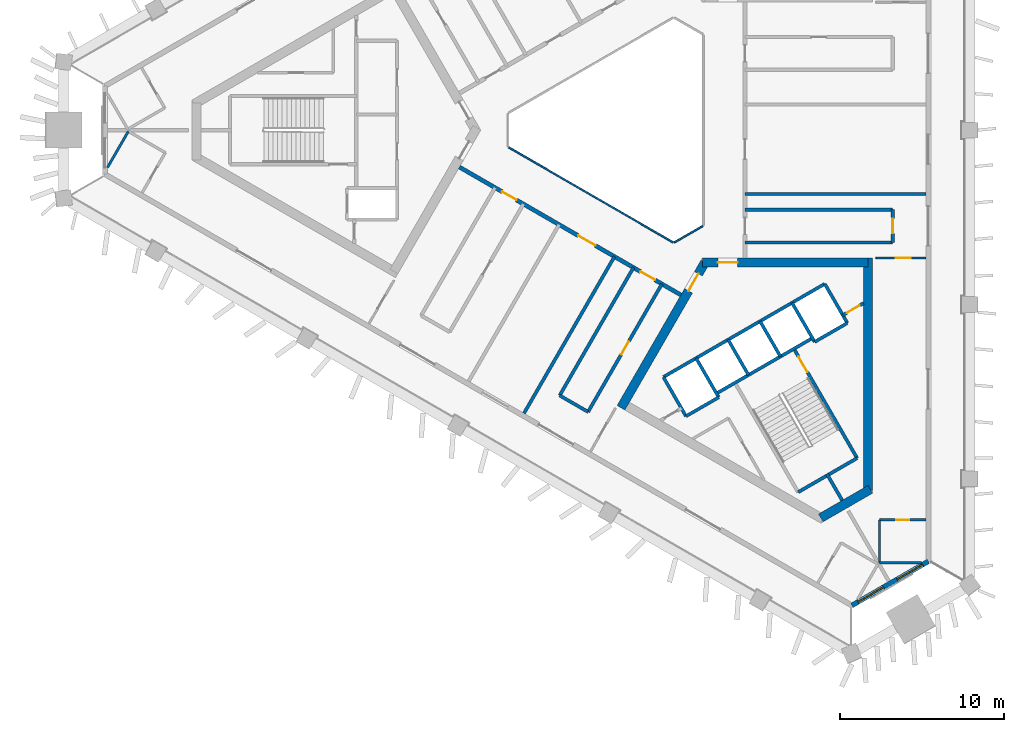
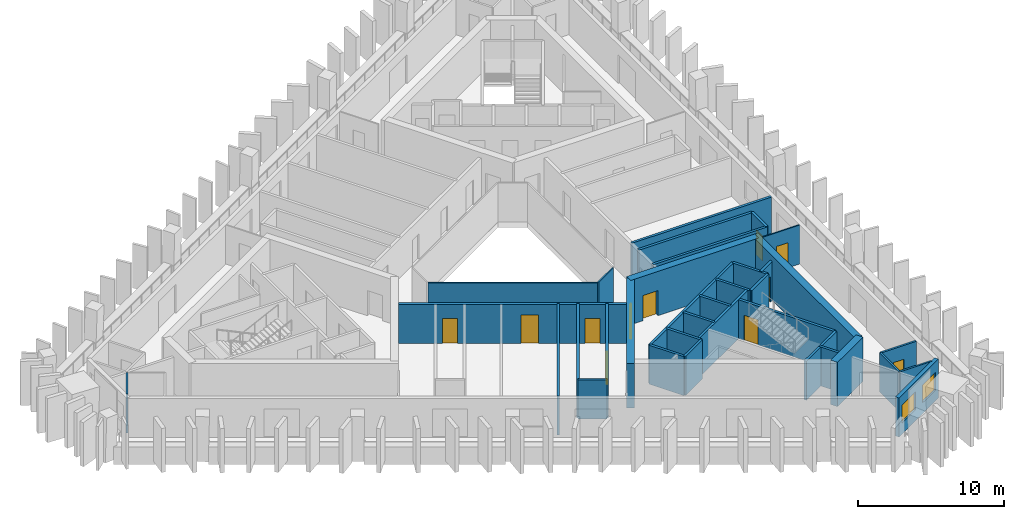
# One storey, part 3 of 9: 35 walls, 11 doors, 2 windows, 13 openings.
"""IFC4 building model written with IfcOpenShell, lengths in metres."""

from ifc_helpers import new_model, si_unit, direction, frame, frame_2d, origin, place, context, subcontext, project, spatial, rectangle, extrude, material, layer, layer_set, type_object, element, fill, save


model = new_model("IFC4")

# Units and contexts
model_context = context("Model", 3, precision=1e-05, world=origin(), true_north=direction((0.0, 1.0)))
body_context = subcontext(model_context, "Body", "Model", "MODEL_VIEW")
ifc_project = project(units=[si_unit("LENGTHUNIT", "METRE"), si_unit("AREAUNIT", "SQUARE_METRE"), si_unit("VOLUMEUNIT", "CUBIC_METRE"), si_unit("PLANEANGLEUNIT", "RADIAN"), si_unit("MASSUNIT", "GRAM", prefix="KILO")], contexts=[model_context])

# Site, building, storey
site_placement = place(None, origin())
site = spatial("IfcSite", under=ifc_project, at=site_placement, CompositionType="ELEMENT")
building_placement = place(site_placement, origin())
building = spatial("IfcBuilding", under=site, at=building_placement, Name="Jabali Bay Hotel Tower and Convention Centre", CompositionType="ELEMENT")
storey_placement = place(building_placement, frame((0.0, 0.0, 189.60009765625)))
storey = spatial("IfcBuildingStorey", under=building, at=storey_placement, Name="L46", CompositionType="ELEMENT", Elevation=189.60009765625)

# Walls
ifc_material_1 = material(Name="Fire-resistant glazing", Category="glass")
ifc_layer_1 = layer(ifc_material_1, 0.10009765625)
ifc_layer_set_1 = layer_set([ifc_layer_1], Name="Fire-resistant glazing")
wall_type_1 = type_object("IfcWallType", Name="Atrium glazed screen 100", PredefinedType="PARTITIONING", material=ifc_layer_set_1)
wall_1_placement = place(storey_placement, frame((67.7021484375, 78.947998046875, 0.0), z_axis=(0.0, 0.0, 1.0), x_axis=(0.866026658274, -0.499997827154, 0.0)))
element("IfcWall", 1, at=wall_1_placement, inside=storey, type_object=wall_type_1, Name="Atrium screen 5 L46", PredefinedType="PARTITIONING", context=body_context, shape_type="SweptSolid", body=[
    extrude(rectangle(XDim=11.58837890625, YDim=0.10009765625, at=frame_2d((5.794189453125, 0.0))), origin(), (0.0, 0.0, 1.0), 3.25),
])
wall_2_placement = place(storey_placement, frame((77.7978515625, 73.15380859375, 0.0), z_axis=(0.0, 0.0, 1.0), x_axis=(0.866041268327, 0.499972520799, 0.0)))
element("IfcWall", 2, at=wall_2_placement, inside=storey, type_object=wall_type_1, Name="Atrium screen 6 L46", PredefinedType="PARTITIONING", context=body_context, shape_type="SweptSolid", body=[
    extrude(rectangle(XDim=2.0, YDim=0.10009765625, at=frame_2d((1.0, 0.0))), origin(), (0.0, 0.0, 1.0), 3.25),
])
ifc_material_2 = material(Name="Concrete C40", Category="concrete")
ifc_layer_2 = layer(ifc_material_2, 0.199951171875)
ifc_layer_set_2 = layer_set([ifc_layer_2], Name="Concrete C40")
wall_type_2 = type_object("IfcWallType", Name="Core partition wall 200", PredefinedType="PARTITIONING", material=ifc_layer_set_2)
wall_3_placement = place(storey_placement, frame((87.090087890625, 59.0595703125, 0.0), z_axis=(0.0, 0.0, 1.0), x_axis=(0.499951854219, -0.86605319898, 0.0)))
element("IfcWall", 3, at=wall_3_placement, inside=storey, type_object=wall_type_2, Name="Core wall 2.5 L46", PredefinedType="PARTITIONING", context=body_context, shape_type="SweptSolid", body=[
    extrude(rectangle(XDim=1.873291015625, YDim=0.199951171875, at=frame_2d((0.9365234375, 0.0))), origin(), (0.0, 0.0, 1.0), 3.25),
])

# Wall, opening, door
wall_4_placement = place(storey_placement, frame((88.064697265625, 68.72119140625, 0.0), z_axis=(0.0, 0.0, 1.0), x_axis=(0.865982457891, 0.500074377092, 0.0)))
wall_4 = element("IfcWall", 4, at=wall_4_placement, inside=storey, type_object=wall_type_2, Name="Core wall 2.12 L46", PredefinedType="PARTITIONING", context=body_context, shape_type="SweptSolid", body=[
    extrude(rectangle(XDim=1.461181640625, YDim=0.199951171875, at=frame_2d((0.73046875, 0.0))), origin(), (0.0, 0.0, 1.0), 3.25),
])
opening_1_placement = place(wall_4_placement, frame((0.280517578125, 0.0, 0.0)))
opening_1 = element("IfcOpeningElement", 5, at=opening_1_placement, cuts=wall_4, Name="Opening D1004", PredefinedType="OPENING", context=body_context, shape_type="SweptSolid", body=[
    extrude(rectangle(XDim=0.89990234375, YDim=2.10009765625, at=frame_2d((0.449951171875, 1.050048828125))), frame((0.0, 0.1103515625, 0.0), z_axis=(0.0, -1.0, 0.0), x_axis=(1.0, 0.0, 0.0)), (0.0, 0.0, 1.0), 0.220947265625),
])
ifc_material_3 = material(Name="Fire-rated steel door", Category="steel")
door_type_1 = type_object("IfcDoorType", Name="Vestibule fire door 900 x 2100", OperationType="NOTDEFINED", PredefinedType="NOTDEFINED", material=ifc_material_3)
door_1_placement = place(opening_1_placement, origin())
door_1 = element("IfcDoor", 6, at=door_1_placement, inside=storey, type_object=door_type_1, Name="Vestibule fire door D1004", OperationType="SINGLE_SWING_LEFT", OverallHeight=2.10009765625, OverallWidth=0.89990234375, PredefinedType="NOTDEFINED", context=body_context, shape_type="SweptSolid", body=[
    extrude(rectangle(XDim=0.89990234375, YDim=2.10009765625, at=frame_2d((0.449951171875, 1.050048828125))), frame((0.0, 0.02490234375, 0.0), z_axis=(0.0, -1.0, 0.0), x_axis=(1.0, 0.0, 0.0)), (0.0, 0.0, 1.0), 0.050048828125),
])
fill(opening_1, door_1)

# Walls
ifc_layer_3 = layer(ifc_material_2, 0.199951171875)
ifc_layer_set_3 = layer_set([ifc_layer_3], Name="Concrete C40")
wall_type_3 = type_object("IfcWallType", Name="Core stair wall 200", PredefinedType="SOLIDWALL", material=ifc_layer_set_3)
for number, where, z_axis, x_axis, name in (
    (7, (77.13525390625, 64.95166015625, 0.0), (0.0, 0.0, 1.0), (0.499996545922, -0.866027397988, 0.0), "Core wall 2.0 L46"),
    (8, (79.127197265625, 66.1015625, 0.0), (0.0, 0.0, 1.0), (0.499996545922, -0.866027397988, 0.0), "Core wall 2.2 L46"),
):
    element("IfcWall", number, at=place(storey_placement, frame(where, z_axis=z_axis, x_axis=x_axis)), inside=storey, type_object=wall_type_3, Name=name, PredefinedType="SOLIDWALL", context=body_context, shape_type="SweptSolid", body=[
        extrude(rectangle(XDim=2.75, YDim=0.199951171875, at=frame_2d((1.375, 0.0))), origin(), (0.0, 0.0, 1.0), 3.25),
    ])
for number, where, z_axis, x_axis, name in (
    (9, (81.07568359375, 67.2265625, 0.0), (0.0, 0.0, 1.0), (0.50000366821, -0.866023285932, 0.0), "Core wall 2.4 L46"),
    (10, (83.024169921875, 68.3515625, 0.0), (0.0, 0.0, 1.0), (0.50000366821, -0.866023285932, 0.0), "Core wall 2.6 L46"),
):
    element("IfcWall", number, at=place(storey_placement, frame(where, z_axis=z_axis, x_axis=x_axis)), inside=storey, type_object=wall_type_3, Name=name, PredefinedType="SOLIDWALL", context=body_context, shape_type="SweptSolid", body=[
        extrude(rectangle(XDim=2.47998046875, YDim=0.199951171875, at=frame_2d((1.239990234375, 0.0))), origin(), (0.0, 0.0, 1.0), 3.25),
    ])

# Wall, opening, door
wall_5_placement = place(storey_placement, frame((85.0869140625, 66.6787109375, 0.0), z_axis=(0.0, 0.0, 1.0), x_axis=(0.500019787375, -0.866013979237, 0.0)))
wall_5 = element("IfcWall", 11, at=wall_5_placement, inside=storey, type_object=wall_type_3, Name="Core wall 2.7 L46", PredefinedType="SOLIDWALL", context=body_context, shape_type="SweptSolid", body=[
    extrude(rectangle(XDim=7.699951171875, YDim=0.199951171875, at=frame_2d((3.85009765625, 0.0))), origin(), (0.0, 0.0, 1.0), 3.25),
])
opening_2_placement = place(wall_5_placement, frame((0.550048828125, 0.0, 0.0)))
opening_2 = element("IfcOpeningElement", 12, at=opening_2_placement, cuts=wall_5, Name="Opening D1006", PredefinedType="OPENING", context=body_context, shape_type="SweptSolid", body=[
    extrude(rectangle(XDim=1.10009765625, YDim=2.10009765625, at=frame_2d((0.550048828125, 1.050048828125))), frame((0.0, 0.1103515625, 0.0), z_axis=(0.0, -1.0, 0.0), x_axis=(1.0, 0.0, 0.0)), (0.0, 0.0, 1.0), 0.220947265625),
])
door_type_2 = type_object("IfcDoorType", Name="Stair fire door 1100 x 2100", OperationType="NOTDEFINED", PredefinedType="NOTDEFINED", material=ifc_material_3)
door_2_placement = place(opening_2_placement, origin())
door_2 = element("IfcDoor", 13, at=door_2_placement, inside=storey, type_object=door_type_2, Name="Stair fire door D1006", OperationType="SINGLE_SWING_RIGHT", OverallHeight=2.10009765625, OverallWidth=1.10009765625, PredefinedType="NOTDEFINED", context=body_context, shape_type="SweptSolid", body=[
    extrude(rectangle(XDim=1.10009765625, YDim=2.10009765625, at=frame_2d((0.550048828125, 1.050048828125))), frame((0.0, 0.02490234375, 0.0), z_axis=(0.0, -1.0, 0.0), x_axis=(1.0, 0.0, 0.0)), (0.0, 0.0, 1.0), 0.050048828125),
])
fill(opening_2, door_2)

# Walls
for number, where, z_axis, x_axis, name in (
    (14, (84.972900390625, 69.4765625, 0.0), (0.0, 0.0, 1.0), (0.499996545922, -0.866027397988, 0.0), "Core wall 2.8 L46"),
    (15, (86.964599609375, 70.62646484375, 0.0), (0.0, 0.0, 1.0), (0.499996545922, -0.866027397988, 0.0), "Core wall 2.9 L46"),
):
    element("IfcWall", number, at=place(storey_placement, frame(where, z_axis=z_axis, x_axis=x_axis)), inside=storey, type_object=wall_type_3, Name=name, PredefinedType="SOLIDWALL", context=body_context, shape_type="SweptSolid", body=[
        extrude(rectangle(XDim=2.75, YDim=0.199951171875, at=frame_2d((1.375, 0.0))), origin(), (0.0, 0.0, 1.0), 3.25),
    ])
wall_6_placement = place(storey_placement, frame((77.13525390625, 64.95166015625, 0.0), z_axis=(0.0, 0.0, 1.0), x_axis=(0.866031916153, 0.499988720078, 0.0)))
element("IfcWall", 16, at=wall_6_placement, inside=storey, type_object=wall_type_3, Name="Core wall 2.10 L46", PredefinedType="SOLIDWALL", context=body_context, shape_type="SweptSolid", body=[
    extrude(rectangle(XDim=11.349853515625, YDim=0.199951171875, at=frame_2d((5.6748046875, 0.0))), origin(), (0.0, 0.0, 1.0), 3.25),
])
wall_7_placement = place(storey_placement, frame((80.3671875, 63.953857421875, 0.0), z_axis=(0.0, 0.0, 1.0), x_axis=(0.866026575979, 0.499997969693, 0.0)))
element("IfcWall", 17, at=wall_7_placement, inside=storey, type_object=wall_type_3, Name="Core wall 2.13 L46", PredefinedType="SOLIDWALL", context=body_context, shape_type="SweptSolid", body=[
    extrude(rectangle(XDim=6.75, YDim=0.199951171875, at=frame_2d((3.375, 0.0))), origin(), (0.0, 0.0, 1.0), 3.25),
])
wall_8_placement = place(storey_placement, frame((78.51025390625, 62.570068359375, 0.0), z_axis=(0.0, 0.0, 1.0), x_axis=(0.866053019151, 0.499952165731, 0.0)))
element("IfcWall", 18, at=wall_8_placement, inside=storey, type_object=wall_type_3, Name="Core wall 2.14 L46", PredefinedType="SOLIDWALL", context=body_context, shape_type="SweptSolid", body=[
    extrude(rectangle(XDim=2.300048828125, YDim=0.199951171875, at=frame_2d((1.14990234375, 0.0))), origin(), (0.0, 0.0, 1.0), 3.25),
])
wall_9_placement = place(storey_placement, frame((86.347900390625, 67.094970703125, 0.0), z_axis=(0.0, 0.0, 1.0), x_axis=(0.86602648383, 0.499998129301, 0.0)))
element("IfcWall", 19, at=wall_9_placement, inside=storey, type_object=wall_type_3, Name="Core wall 2.15 L46", PredefinedType="SOLIDWALL", context=body_context, shape_type="SweptSolid", body=[
    extrude(rectangle(XDim=2.2998046875, YDim=0.199951171875, at=frame_2d((1.14990234375, 0.0))), origin(), (0.0, 0.0, 1.0), 3.25),
])
wall_10_placement = place(storey_placement, frame((85.343017578125, 57.935302734375, 0.0), z_axis=(0.0, 0.0, 1.0), x_axis=(0.866004344652, 0.500036473714, 0.0)))
element("IfcWall", 20, at=wall_10_placement, inside=storey, type_object=wall_type_3, Name="Core wall 2.17 L46", PredefinedType="SOLIDWALL", context=body_context, shape_type="SweptSolid", body=[
    extrude(rectangle(XDim=4.150146484375, YDim=0.199951171875, at=frame_2d((2.0751953125, 0.0))), origin(), (0.0, 0.0, 1.0), 3.25),
])

# Wall, opening, door
ifc_material_4 = material(Name="Concrete C60", Category="concrete")
ifc_layer_4 = layer(ifc_material_4, 0.550048828125)
ifc_layer_set_4 = layer_set([ifc_layer_4], Name="Concrete C60")
wall_type_4 = type_object("IfcWallType", Name="Core wall 550", PredefinedType="SHEAR", material=ifc_layer_set_4)
wall_11_placement = place(storey_placement, frame((79.65869140625, 71.9306640625, 0.0), z_axis=(0.0, 0.0, 1.0), x_axis=(-0.500000202252, -0.866025287014, 0.0)))
wall_11 = element("IfcWall", 21, at=wall_11_placement, inside=storey, type_object=wall_type_4, Name="Core wall 3.1 L46", PredefinedType="SHEAR", context=body_context, shape_type="SweptSolid", body=[
    extrude(rectangle(XDim=10.22119140625, YDim=0.550048828125, at=frame_2d((5.110595703125, 0.0))), origin(), (0.0, 0.0, 1.0), 3.699951171875),
])
opening_3_placement = place(wall_11_placement, frame((0.791259765625, 0.0, 0.0)))
opening_3 = element("IfcOpeningElement", 22, at=opening_3_placement, cuts=wall_11, Name="Opening D1002", PredefinedType="OPENING", context=body_context, shape_type="SweptSolid", body=[
    extrude(rectangle(XDim=1.199951171875, YDim=2.10009765625, at=frame_2d((0.60009765625, 1.050048828125))), frame((0.0, 0.28564453125, 0.0), z_axis=(0.0, -1.0, 0.0), x_axis=(1.0, 0.0, 0.0)), (0.0, 0.0, 1.0), 0.571044921875),
])
door_type_3 = type_object("IfcDoorType", Name="Corridor end fire door 1200 x 2100", OperationType="NOTDEFINED", PredefinedType="NOTDEFINED", material=ifc_material_3)
door_3_placement = place(opening_3_placement, origin())
door_3 = element("IfcDoor", 23, at=door_3_placement, inside=storey, type_object=door_type_3, Name="Corridor end fire door D1002", OperationType="SINGLE_SWING_RIGHT", OverallHeight=2.10009765625, OverallWidth=1.199951171875, PredefinedType="NOTDEFINED", context=body_context, shape_type="SweptSolid", body=[
    extrude(rectangle(XDim=1.199951171875, YDim=2.10009765625, at=frame_2d((0.60009765625, 1.050048828125))), frame((0.0, 0.02490234375, 0.0), z_axis=(0.0, -1.0, 0.0), x_axis=(1.0, 0.0, 0.0)), (0.0, 0.0, 1.0), 0.050048828125),
])
fill(opening_3, door_3)

# Walls
wall_12_placement = place(storey_placement, frame((86.72314453125, 56.3671875, 0.0), z_axis=(0.0, 0.0, 1.0), x_axis=(0.865997833373, 0.500047750313, 0.0)))
element("IfcWall", 24, at=wall_12_placement, inside=storey, type_object=wall_type_4, Name="Core wall 3.3 L46", PredefinedType="SHEAR", context=body_context, shape_type="SweptSolid", body=[
    extrude(rectangle(XDim=3.486572265625, YDim=0.550048828125, at=frame_2d((1.7431640625, 0.0))), origin(), (0.0, 0.0, 1.0), 3.699951171875),
])
wall_13_placement = place(storey_placement, frame((89.60498046875, 58.03125, 0.0), z_axis=(0.0, 0.0, 1.0), x_axis=(0.0, 1.0, 0.0)))
element("IfcWall", 25, at=wall_13_placement, inside=storey, type_object=wall_type_4, Name="Core wall 3.4 L46", PredefinedType="SHEAR", context=body_context, shape_type="SweptSolid", body=[
    extrude(rectangle(XDim=14.174560546875, YDim=0.550048828125, at=frame_2d((7.08740234375, 0.0))), origin(), (0.0, 0.0, 1.0), 3.699951171875),
])

# Wall, opening, door
wall_14_placement = place(storey_placement, frame((89.60498046875, 71.9306640625, 0.0), z_axis=(0.0, 0.0, 1.0), x_axis=(-1.0, 0.0, 0.0)))
wall_14 = element("IfcWall", 26, at=wall_14_placement, inside=storey, type_object=wall_type_4, Name="Core wall 3.5 L46", PredefinedType="SHEAR", context=body_context, shape_type="SweptSolid", body=[
    extrude(rectangle(XDim=10.10498046875, YDim=0.550048828125, at=frame_2d((5.052490234375, 0.0))), origin(), (0.0, 0.0, 1.0), 3.699951171875),
])
opening_4_placement = place(wall_14_placement, frame((7.955078125, 0.0, 0.0)))
opening_4 = element("IfcOpeningElement", 27, at=opening_4_placement, cuts=wall_14, Name="Opening D1003", PredefinedType="OPENING", context=body_context, shape_type="SweptSolid", body=[
    extrude(rectangle(XDim=1.199951171875, YDim=2.10009765625, at=frame_2d((0.60009765625, 1.050048828125))), frame((0.0, 0.28564453125, 0.0), z_axis=(0.0, -1.0, 0.0), x_axis=(1.0, 0.0, 0.0)), (0.0, 0.0, 1.0), 0.571044921875),
])
door_4_placement = place(opening_4_placement, origin())
door_4 = element("IfcDoor", 28, at=door_4_placement, inside=storey, type_object=door_type_3, Name="Corridor end fire door D1003", OperationType="SINGLE_SWING_LEFT", OverallHeight=2.10009765625, OverallWidth=1.199951171875, PredefinedType="NOTDEFINED", context=body_context, shape_type="SweptSolid", body=[
    extrude(rectangle(XDim=1.199951171875, YDim=2.10009765625, at=frame_2d((0.60009765625, 1.050048828125))), frame((0.0, 0.02490234375, 0.0), z_axis=(0.0, -1.0, 0.0), x_axis=(1.0, 0.0, 0.0)), (0.0, 0.0, 1.0), 0.050048828125),
])
fill(opening_4, door_4)

# Wall, openings, doors
ifc_layer_5 = layer(ifc_material_4, 0.25)
ifc_layer_set_5 = layer_set([ifc_layer_5], Name="Concrete C60")
wall_type_5 = type_object("IfcWallType", Name="Corridor wall 250", PredefinedType="SHEAR", material=ifc_layer_set_5)
wall_15_placement = place(storey_placement, frame((64.699951171875, 77.748291015625, 0.0), z_axis=(0.0, 0.0, 1.0), x_axis=(0.866026492143, -0.499998114903, 0.0)))
wall_15 = element("IfcWall", 29, at=wall_15_placement, inside=storey, type_object=wall_type_5, Name="Corridor wall 3 L46", PredefinedType="SHEAR", context=body_context, shape_type="SweptSolid", body=[
    extrude(rectangle(XDim=15.58837890625, YDim=0.25, at=frame_2d((7.794189453125, 0.0))), origin(), (0.0, 0.0, 1.0), 3.25),
])
opening_5_placement = place(wall_15_placement, frame((3.00732421875, 0.0, 0.0)))
opening_5 = element("IfcOpeningElement", 30, at=opening_5_placement, cuts=wall_15, Name="Opening 4619", PredefinedType="OPENING", context=body_context, shape_type="SweptSolid", body=[
    extrude(rectangle(XDim=1.0, YDim=2.10009765625, at=frame_2d((0.5, 1.050048828125))), frame((0.0, 0.135498046875, 0.0), z_axis=(0.0, -1.0, 0.0), x_axis=(1.0, 0.0, 0.0)), (0.0, 0.0, 1.0), 0.27099609375),
])
opening_6_placement = place(wall_15_placement, frame((8.36328125, 0.0, 0.0)))
opening_6 = element("IfcOpeningElement", 31, at=opening_6_placement, cuts=wall_15, Name="Opening 4623", PredefinedType="OPENING", context=body_context, shape_type="SweptSolid", body=[
    extrude(rectangle(XDim=1.199951171875, YDim=2.39990234375, at=frame_2d((0.60009765625, 1.199951171875))), frame((0.0, 0.135498046875, 0.0), z_axis=(0.0, -1.0, 0.0), x_axis=(1.0, 0.0, 0.0)), (0.0, 0.0, 1.0), 0.27099609375),
])
opening_7_placement = place(wall_15_placement, frame((12.750244140625, 0.0, 0.0)))
opening_7 = element("IfcOpeningElement", 32, at=opening_7_placement, cuts=wall_15, Name="Opening 4624", PredefinedType="OPENING", context=body_context, shape_type="SweptSolid", body=[
    extrude(rectangle(XDim=1.0, YDim=2.10009765625, at=frame_2d((0.5, 1.050048828125))), frame((0.0, 0.135498046875, 0.0), z_axis=(0.0, -1.0, 0.0), x_axis=(1.0, 0.0, 0.0)), (0.0, 0.0, 1.0), 0.27099609375),
])
ifc_material_5 = material(Name="Timber", Category="wood")
door_type_4 = type_object("IfcDoorType", Name="Guest room door 1000 x 2100", OperationType="NOTDEFINED", PredefinedType="NOTDEFINED", material=ifc_material_5)
door_5_placement = place(opening_5_placement, origin())
door_5 = element("IfcDoor", 33, at=door_5_placement, inside=storey, type_object=door_type_4, Name="Door 4619", OperationType="SINGLE_SWING_LEFT", OverallHeight=2.10009765625, OverallWidth=1.0, PredefinedType="NOTDEFINED", context=body_context, shape_type="SweptSolid", body=[
    extrude(rectangle(XDim=1.0, YDim=2.10009765625, at=frame_2d((0.5, 1.050048828125))), frame((0.0, 0.02490234375, 0.0), z_axis=(0.0, -1.0, 0.0), x_axis=(1.0, 0.0, 0.0)), (0.0, 0.0, 1.0), 0.050048828125),
])
fill(opening_5, door_5)
door_6_placement = place(opening_7_placement, origin())
door_6 = element("IfcDoor", 34, at=door_6_placement, inside=storey, type_object=door_type_4, Name="Door 4624", OperationType="SINGLE_SWING_RIGHT", OverallHeight=2.10009765625, OverallWidth=1.0, PredefinedType="NOTDEFINED", context=body_context, shape_type="SweptSolid", body=[
    extrude(rectangle(XDim=1.0, YDim=2.10009765625, at=frame_2d((0.5, 1.050048828125))), frame((0.0, 0.02490234375, 0.0), z_axis=(0.0, -1.0, 0.0), x_axis=(1.0, 0.0, 0.0)), (0.0, 0.0, 1.0), 0.050048828125),
])
fill(opening_7, door_6)
door_type_5 = type_object("IfcDoorType", Name="Public room door 1200 x 2400", OperationType="NOTDEFINED", PredefinedType="NOTDEFINED", material=ifc_material_5)
door_7_placement = place(opening_6_placement, origin())
door_7 = element("IfcDoor", 35, at=door_7_placement, inside=storey, type_object=door_type_5, Name="Door 4623", OperationType="SINGLE_SWING_RIGHT", OverallHeight=2.39990234375, OverallWidth=1.199951171875, PredefinedType="NOTDEFINED", context=body_context, shape_type="SweptSolid", body=[
    extrude(rectangle(XDim=1.199951171875, YDim=2.39990234375, at=frame_2d((0.60009765625, 1.199951171875))), frame((0.0, 0.02490234375, 0.0), z_axis=(0.0, -1.0, 0.0), x_axis=(1.0, 0.0, 0.0)), (0.0, 0.0, 1.0), 0.050048828125),
])
fill(opening_6, door_7)

# Wall, openings, windows
ifc_layer_6 = layer(ifc_material_2, 0.300048828125)
ifc_layer_set_6 = layer_set([ifc_layer_6], Name="Concrete C40")
wall_type_6 = type_object("IfcWallType", Name="External wall 300", PredefinedType="SOLIDWALL", material=ifc_layer_set_6)
wall_16_placement = place(storey_placement, frame((93.27783203125, 53.71923828125, 0.0), z_axis=(0.0, 0.0, 1.0), x_axis=(-0.866024546342, -0.500001485131, 0.0)))
wall_16 = element("IfcWall", 36, at=wall_16_placement, inside=storey, type_object=wall_type_6, Name="External wall south-east chamfer L46", PredefinedType="SOLIDWALL", context=body_context, shape_type="SweptSolid", body=[
    extrude(rectangle(XDim=5.37744140625, YDim=0.300048828125, at=frame_2d((2.688720703125, 0.0))), origin(), (0.0, 0.0, 1.0), 3.25),
])
opening_8_placement = place(wall_16_placement, frame((0.402099609375, 0.0, 0.89990234375)))
opening_8 = element("IfcOpeningElement", 37, at=opening_8_placement, cuts=wall_16, Name="Opening W1", PredefinedType="OPENING", context=body_context, shape_type="SweptSolid", body=[
    extrude(rectangle(XDim=1.800048828125, YDim=1.5, at=frame_2d((0.89990234375, 0.75))), frame((0.0, 0.16064453125, 0.0), z_axis=(0.0, -1.0, 0.0), x_axis=(1.0, 0.0, 0.0)), (0.0, 0.0, 1.0), 0.321044921875),
])
opening_9_placement = place(wall_16_placement, frame((3.150146484375, 0.0, 0.89990234375)))
opening_9 = element("IfcOpeningElement", 38, at=opening_9_placement, cuts=wall_16, Name="Opening W1", PredefinedType="OPENING", context=body_context, shape_type="SweptSolid", body=[
    extrude(rectangle(XDim=1.800048828125, YDim=1.5, at=frame_2d((0.89990234375, 0.75))), frame((0.0, 0.16064453125, 0.0), z_axis=(0.0, -1.0, 0.0), x_axis=(1.0, 0.0, 0.0)), (0.0, 0.0, 1.0), 0.321044921875),
])
ifc_material_6 = material(Name="Glass", Category="glass")
window_type = type_object("IfcWindowType", Name="Window 1800 x 1500", PartitioningType="SINGLE_PANEL", PredefinedType="WINDOW", material=ifc_material_6)
window_1_placement = place(opening_8_placement, origin())
window_1 = element("IfcWindow", 39, at=window_1_placement, inside=storey, type_object=window_type, Name="Window 4601", OverallHeight=1.5, OverallWidth=1.800048828125, PartitioningType="SINGLE_PANEL", PredefinedType="WINDOW", context=body_context, shape_type="SweptSolid", body=[
    extrude(rectangle(XDim=1.800048828125, YDim=1.5, at=frame_2d((0.89990234375, 0.75))), frame((0.0, 0.030029296875, 0.0), z_axis=(0.0, -1.0, 0.0), x_axis=(1.0, 0.0, 0.0)), (0.0, 0.0, 1.0), 0.06005859375),
])
fill(opening_8, window_1)
window_2_placement = place(opening_9_placement, origin())
window_2 = element("IfcWindow", 40, at=window_2_placement, inside=storey, type_object=window_type, Name="Window 4612", OverallHeight=1.5, OverallWidth=1.800048828125, PartitioningType="SINGLE_PANEL", PredefinedType="WINDOW", context=body_context, shape_type="SweptSolid", body=[
    extrude(rectangle(XDim=1.800048828125, YDim=1.5, at=frame_2d((0.89990234375, 0.75))), frame((0.0, 0.030029296875, 0.0), z_axis=(0.0, -1.0, 0.0), x_axis=(1.0, 0.0, 0.0)), (0.0, 0.0, 1.0), 0.06005859375),
])
fill(opening_9, window_2)

# Wall, opening, door
ifc_material_7 = material(Name="Plasterboard on steel stud", Category="steel")
ifc_layer_7 = layer(ifc_material_7, 0.10009765625)
ifc_layer_set_7 = layer_set([ifc_layer_7], Name="Plasterboard on steel stud")
wall_type_7 = type_object("IfcWallType", Name="Partition 100 unit", PredefinedType="PARTITIONING", material=ifc_layer_set_7)
wall_17_placement = place(storey_placement, frame((90.0791015625, 72.205810546875, 0.0), z_axis=(0.0, 0.0, 1.0), x_axis=(1.0, 0.0, 0.0)))
wall_17 = element("IfcWall", 41, at=wall_17_placement, inside=storey, type_object=wall_type_7, Name="Partition P02 L46 001", PredefinedType="PARTITIONING", context=body_context, shape_type="SweptSolid", body=[
    extrude(rectangle(XDim=3.0498046875, YDim=0.10009765625, at=frame_2d((1.52490234375, 0.0))), origin(), (0.0, 0.0, 1.0), 3.25),
])
opening_10_placement = place(wall_17_placement, frame((1.22509765625, 0.0, 0.0)))
opening_10 = element("IfcOpeningElement", 42, at=opening_10_placement, cuts=wall_17, Name="Opening 4602", PredefinedType="OPENING", context=body_context, shape_type="SweptSolid", body=[
    extrude(rectangle(XDim=0.89990234375, YDim=2.10009765625, at=frame_2d((0.449951171875, 1.050048828125))), frame((0.0, 0.060546875, 0.0), z_axis=(0.0, -1.0, 0.0), x_axis=(1.0, 0.0, 0.0)), (0.0, 0.0, 1.0), 0.12109375),
])
door_type_6 = type_object("IfcDoorType", Name="Internal door 900 x 2100", OperationType="NOTDEFINED", PredefinedType="NOTDEFINED", material=ifc_material_5)
door_8_placement = place(opening_10_placement, origin())
door_8 = element("IfcDoor", 43, at=door_8_placement, inside=storey, type_object=door_type_6, Name="Door 4602", OperationType="SINGLE_SWING_RIGHT", OverallHeight=2.10009765625, OverallWidth=0.89990234375, PredefinedType="NOTDEFINED", context=body_context, shape_type="SweptSolid", body=[
    extrude(rectangle(XDim=0.89990234375, YDim=2.10009765625, at=frame_2d((0.449951171875, 1.050048828125))), frame((0.0, 0.02490234375, 0.0), z_axis=(0.0, -1.0, 0.0), x_axis=(1.0, 0.0, 0.0)), (0.0, 0.0, 1.0), 0.050048828125),
])
fill(opening_10, door_8)

# Walls
ifc_layer_8 = layer(ifc_material_7, 0.14990234375)
ifc_layer_set_8 = layer_set([ifc_layer_8], Name="Plasterboard on steel stud")
wall_type_8 = type_object("IfcWallType", Name="Partition 150 wet", PredefinedType="PARTITIONING", material=ifc_layer_set_8)
wall_18_placement = place(storey_placement, frame((92.851318359375, 53.64501953125, 0.0), z_axis=(0.0, 0.0, 1.0), x_axis=(-1.0, 0.0, 0.0)))
element("IfcWall", 44, at=wall_18_placement, inside=storey, type_object=wall_type_8, Name="Partition P03 L46 006", PredefinedType="PARTITIONING", context=body_context, shape_type="SweptSolid", body=[
    extrude(rectangle(XDim=2.5498046875, YDim=0.14990234375, at=frame_2d((1.27490234375, 0.0))), origin(), (0.0, 0.0, 1.0), 3.25),
])
wall_19_placement = place(storey_placement, frame((90.301513671875, 53.64501953125, 0.0), z_axis=(0.0, 0.0, 1.0), x_axis=(0.0, 1.0, 0.0)))
element("IfcWall", 45, at=wall_19_placement, inside=storey, type_object=wall_type_8, Name="Partition P03 L46 007", PredefinedType="PARTITIONING", context=body_context, shape_type="SweptSolid", body=[
    extrude(rectangle(XDim=2.60009765625, YDim=0.14990234375, at=frame_2d((1.300048828125, 0.0))), origin(), (0.0, 0.0, 1.0), 3.25),
])

# Wall, opening, door
wall_20_placement = place(storey_placement, frame((90.301513671875, 56.2451171875, 0.0), z_axis=(0.0, 0.0, 1.0), x_axis=(1.0, 0.0, 0.0)))
wall_20 = element("IfcWall", 46, at=wall_20_placement, inside=storey, type_object=wall_type_8, Name="Partition P03 L46 008", PredefinedType="PARTITIONING", context=body_context, shape_type="SweptSolid", body=[
    extrude(rectangle(XDim=2.827392578125, YDim=0.14990234375, at=frame_2d((1.41357421875, 0.0))), origin(), (0.0, 0.0, 1.0), 3.25),
])
opening_11_placement = place(wall_20_placement, frame((1.013916015625, 0.0, 0.0)))
opening_11 = element("IfcOpeningElement", 47, at=opening_11_placement, cuts=wall_20, Name="Opening 4603", PredefinedType="OPENING", context=body_context, shape_type="SweptSolid", body=[
    extrude(rectangle(XDim=0.800048828125, YDim=2.10009765625, at=frame_2d((0.39990234375, 1.050048828125))), frame((0.0, 0.08544921875, 0.0), z_axis=(0.0, -1.0, 0.0), x_axis=(1.0, 0.0, 0.0)), (0.0, 0.0, 1.0), 0.1708984375),
])
door_type_7 = type_object("IfcDoorType", Name="En-suite door 800 x 2100", OperationType="NOTDEFINED", PredefinedType="NOTDEFINED", material=ifc_material_5)
door_9_placement = place(opening_11_placement, origin())
door_9 = element("IfcDoor", 48, at=door_9_placement, inside=storey, type_object=door_type_7, Name="Door 4603", OperationType="SINGLE_SWING_LEFT", OverallHeight=2.10009765625, OverallWidth=0.800048828125, PredefinedType="NOTDEFINED", context=body_context, shape_type="SweptSolid", body=[
    extrude(rectangle(XDim=0.800048828125, YDim=2.10009765625, at=frame_2d((0.39990234375, 1.050048828125))), frame((0.0, 0.02490234375, 0.0), z_axis=(0.0, -1.0, 0.0), x_axis=(1.0, 0.0, 0.0)), (0.0, 0.0, 1.0), 0.050048828125),
])
fill(opening_11, door_9)

# Walls
wall_21_placement = place(storey_placement, frame((43.250244140625, 77.7177734375, 0.0), z_axis=(0.0, 0.0, 1.0), x_axis=(0.499990435942, 0.866030925526, 0.0)))
element("IfcWall", 49, at=wall_21_placement, inside=storey, type_object=wall_type_8, Name="Partition P03 L46 039", PredefinedType="PARTITIONING", context=body_context, shape_type="SweptSolid", body=[
    extrude(rectangle(XDim=2.5498046875, YDim=0.14990234375, at=frame_2d((1.27490234375, 0.0))), origin(), (0.0, 0.0, 1.0), 3.25),
])
ifc_layer_9 = layer(ifc_material_7, 0.199951171875)
ifc_layer_set_9 = layer_set([ifc_layer_9], Name="Plasterboard on steel stud")
wall_type_9 = type_object("IfcWallType", Name="Partition 200 party", PredefinedType="PARTITIONING", material=ifc_layer_set_9)
wall_22_placement = place(storey_placement, frame((82.10009765625, 75.154296875, 0.0), z_axis=(0.0, 0.0, 1.0), x_axis=(1.0, 0.0, 0.0)))
element("IfcWall", 50, at=wall_22_placement, inside=storey, type_object=wall_type_9, Name="Partition P01 L46 002", PredefinedType="PARTITIONING", context=body_context, shape_type="SweptSolid", body=[
    extrude(rectangle(XDim=9.0, YDim=0.199951171875, at=frame_2d((4.5, 0.0))), origin(), (0.0, 0.0, 1.0), 3.25),
])

# Wall, opening, door
wall_23_placement = place(storey_placement, frame((91.10009765625, 75.154296875, 0.0), z_axis=(0.0, 0.0, 1.0), x_axis=(0.0, -1.0, 0.0)))
wall_23 = element("IfcWall", 51, at=wall_23_placement, inside=storey, type_object=wall_type_9, Name="Partition P01 L46 003", PredefinedType="PARTITIONING", context=body_context, shape_type="SweptSolid", body=[
    extrude(rectangle(XDim=2.0, YDim=0.199951171875, at=frame_2d((1.0, 0.0))), origin(), (0.0, 0.0, 1.0), 3.25),
])
opening_12_placement = place(wall_23_placement, frame((0.550048828125, 0.0, 0.0)))
opening_12 = element("IfcOpeningElement", 52, at=opening_12_placement, cuts=wall_23, Name="Opening 4604", PredefinedType="OPENING", context=body_context, shape_type="SweptSolid", body=[
    extrude(rectangle(XDim=0.89990234375, YDim=2.10009765625, at=frame_2d((0.449951171875, 1.050048828125))), frame((0.0, 0.1103515625, 0.0), z_axis=(0.0, -1.0, 0.0), x_axis=(1.0, 0.0, 0.0)), (0.0, 0.0, 1.0), 0.220947265625),
])
door_10_placement = place(opening_12_placement, origin())
door_10 = element("IfcDoor", 53, at=door_10_placement, inside=storey, type_object=door_type_6, Name="Door 4604", OperationType="SINGLE_SWING_RIGHT", OverallHeight=2.10009765625, OverallWidth=0.89990234375, PredefinedType="NOTDEFINED", context=body_context, shape_type="SweptSolid", body=[
    extrude(rectangle(XDim=0.89990234375, YDim=2.10009765625, at=frame_2d((0.449951171875, 1.050048828125))), frame((0.0, 0.02490234375, 0.0), z_axis=(0.0, -1.0, 0.0), x_axis=(1.0, 0.0, 0.0)), (0.0, 0.0, 1.0), 0.050048828125),
])
fill(opening_12, door_10)

# Walls
wall_24_placement = place(storey_placement, frame((91.10009765625, 73.154296875, 0.0), z_axis=(0.0, 0.0, 1.0), x_axis=(-1.0, 0.0, 0.0)))
element("IfcWall", 54, at=wall_24_placement, inside=storey, type_object=wall_type_9, Name="Partition P01 L46 004", PredefinedType="PARTITIONING", context=body_context, shape_type="SweptSolid", body=[
    extrude(rectangle(XDim=9.0, YDim=0.199951171875, at=frame_2d((4.5, 0.0))), origin(), (0.0, 0.0, 1.0), 3.25),
])
for number, where, z_axis, x_axis, name in (
    (55, (93.12890625, 76.102783203125, 0.0), (0.0, 0.0, 1.0), (-1.0, 0.0, 0.0), "Partition P01 L46 005"),
    (56, (68.635498046875, 62.7412109375, 0.0), (0.0, 0.0, 1.0), (0.499998385726, 0.866026335784, 0.0), "Partition P01 L46 042"),
):
    element("IfcWall", number, at=place(storey_placement, frame(where, z_axis=z_axis, x_axis=x_axis)), inside=storey, type_object=wall_type_9, Name=name, PredefinedType="PARTITIONING", context=body_context, shape_type="SweptSolid", body=[
        extrude(rectangle(XDim=11.02880859375, YDim=0.199951171875, at=frame_2d((5.514404296875, 0.0))), origin(), (0.0, 0.0, 1.0), 3.25),
    ])

# Wall, opening, door
wall_25_placement = place(storey_placement, frame((77.041015625, 70.623291015625, 0.0), z_axis=(0.0, 0.0, 1.0), x_axis=(-0.5000018851, -0.866024315419, 0.0)))
wall_25 = element("IfcWall", 57, at=wall_25_placement, inside=storey, type_object=wall_type_9, Name="Partition P01 L46 044", PredefinedType="PARTITIONING", context=body_context, shape_type="SweptSolid", body=[
    extrude(rectangle(XDim=9.0, YDim=0.199951171875, at=frame_2d((4.5, 0.0))), origin(), (0.0, 0.0, 1.0), 3.25),
])
opening_13_placement = place(wall_25_placement, frame((4.050048828125, 0.0, 0.0)))
opening_13 = element("IfcOpeningElement", 58, at=opening_13_placement, cuts=wall_25, Name="Opening 4627", PredefinedType="OPENING", context=body_context, shape_type="SweptSolid", body=[
    extrude(rectangle(XDim=0.89990234375, YDim=2.10009765625, at=frame_2d((0.449951171875, 1.050048828125))), frame((0.0, 0.1103515625, 0.0), z_axis=(0.0, -1.0, 0.0), x_axis=(1.0, 0.0, 0.0)), (0.0, 0.0, 1.0), 0.220947265625),
])
door_11_placement = place(opening_13_placement, origin())
door_11 = element("IfcDoor", 59, at=door_11_placement, inside=storey, type_object=door_type_6, Name="Door 4627", OperationType="SINGLE_SWING_LEFT", OverallHeight=2.10009765625, OverallWidth=0.89990234375, PredefinedType="NOTDEFINED", context=body_context, shape_type="SweptSolid", body=[
    extrude(rectangle(XDim=0.89990234375, YDim=2.10009765625, at=frame_2d((0.449951171875, 1.050048828125))), frame((0.0, 0.02490234375, 0.0), z_axis=(0.0, -1.0, 0.0), x_axis=(1.0, 0.0, 0.0)), (0.0, 0.0, 1.0), 0.050048828125),
])
fill(opening_13, door_11)

# Walls
wall_26_placement = place(storey_placement, frame((72.541015625, 62.8291015625, 0.0), z_axis=(0.0, 0.0, 1.0), x_axis=(-0.866010750942, 0.50002537861, 0.0)))
element("IfcWall", 60, at=wall_26_placement, inside=storey, type_object=wall_type_9, Name="Partition P01 L46 045", PredefinedType="PARTITIONING", context=body_context, shape_type="SweptSolid", body=[
    extrude(rectangle(XDim=2.0, YDim=0.199951171875, at=frame_2d((1.0, 0.0))), origin(), (0.0, 0.0, 1.0), 3.25),
])
wall_27_placement = place(storey_placement, frame((70.80908203125, 63.8291015625, 0.0), z_axis=(0.0, 0.0, 1.0), x_axis=(0.5000018851, 0.866024315419, 0.0)))
element("IfcWall", 61, at=wall_27_placement, inside=storey, type_object=wall_type_9, Name="Partition P01 L46 046", PredefinedType="PARTITIONING", context=body_context, shape_type="SweptSolid", body=[
    extrude(rectangle(XDim=9.0, YDim=0.199951171875, at=frame_2d((4.5, 0.0))), origin(), (0.0, 0.0, 1.0), 3.25),
])

save(model, "model.ifc")
